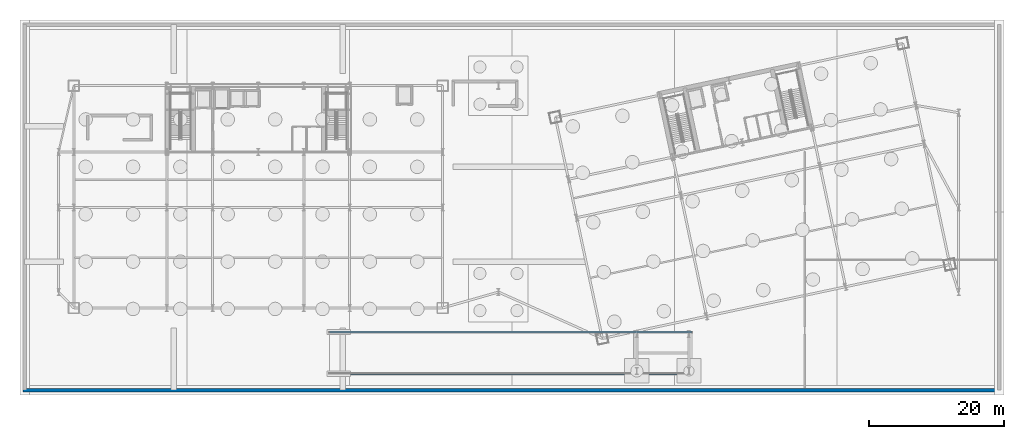
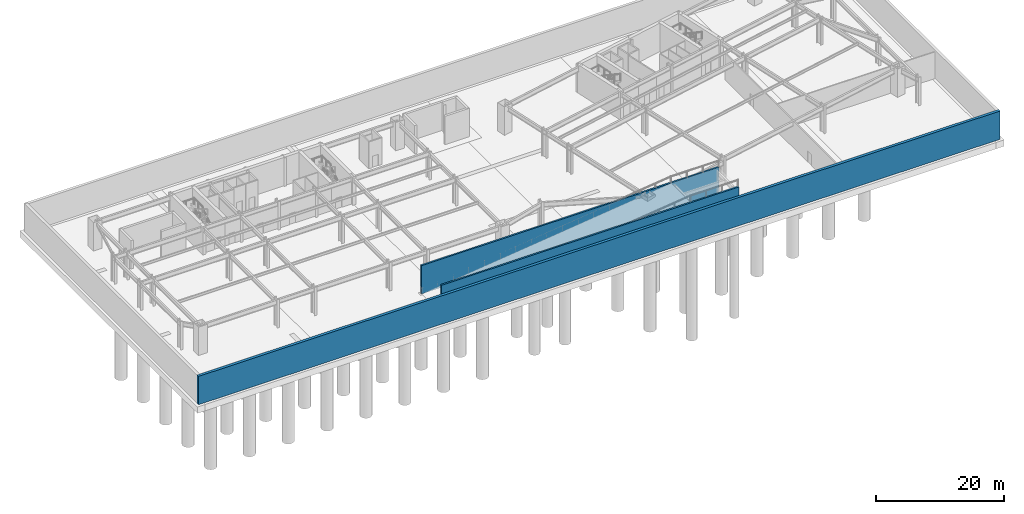
# One storey, part 7 of 15: 3 walls.
"""IFC4 building model written with IfcOpenShell, lengths in metres."""

from ifc_helpers import new_model, si_unit, direction, frame, frame_2d, origin, place, context, subcontext, project, spatial, rectangle, extrude, material, layer, layer_set, type_object, element, save


model = new_model("IFC4")

# Units and contexts
model_context = context("Model", 3, precision=1e-05, world=origin(), true_north=direction((0.0, 1.0)))
body_context = subcontext(model_context, "Body", "Model", "MODEL_VIEW")
ifc_project = project(units=[si_unit("LENGTHUNIT", "METRE"), si_unit("AREAUNIT", "SQUARE_METRE"), si_unit("VOLUMEUNIT", "CUBIC_METRE"), si_unit("PLANEANGLEUNIT", "RADIAN"), si_unit("MASSUNIT", "GRAM", prefix="KILO")], contexts=[model_context])

# Site, building, storey
site_placement = place(None, origin())
site = spatial("IfcSite", under=ifc_project, at=site_placement, CompositionType="ELEMENT")
building_placement = place(site_placement, origin())
building = spatial("IfcBuilding", under=site, at=building_placement, Name="Haevon Station Towers", CompositionType="ELEMENT")
storey_placement = place(building_placement, frame((0.0, 0.0, -10.800048828125)))
storey = spatial("IfcBuildingStorey", under=building, at=storey_placement, Name="B02", CompositionType="ELEMENT", Elevation=-10.800048828125)

# Walls
ifc_material = material(Name="Concrete C50/60", Category="concrete")
ifc_layer = layer(ifc_material, 0.5)
ifc_layer_set = layer_set([ifc_layer], Name="Concrete C50/60")
wall_type = type_object("IfcWallType", Name="WL-RET500", PredefinedType="SOLIDWALL", material=ifc_layer_set)
wall_placement = place(storey_placement, frame((2.75, 3.0, 0.0), z_axis=(0.0, 0.0, 1.0), x_axis=(1.0, 0.0, 0.0)))
element("IfcWall", 1, at=wall_placement, inside=storey, type_object=wall_type, Name="WL-RET-B02-S", PredefinedType="SOLIDWALL", context=body_context, shape_type="SweptSolid", body=[
    extrude(rectangle(XDim=144.5, YDim=0.5, at=frame_2d((72.25, 0.0))), origin(), (0.0, 0.0, 1.0), 5.400146484375),
])
for number, where, z_axis, x_axis, name in (
    (2, (48.0, 11.60009765625, 0.0), (0.0, 0.0, 1.0), (1.0, 0.0, 0.0), "B02 Vehicle Ramp R1 Structural Support Wall"),
    (3, (48.0, 5.39990234375, 0.0), (0.0, 0.0, 1.0), (1.0, 0.0, 0.0), "B02 Vehicle Ramp R1 Structural Support Wall"),
):
    element("IfcWall", number, at=place(storey_placement, frame(where, z_axis=z_axis, x_axis=x_axis)), inside=storey, type_object=wall_type, Name=name, PredefinedType="SOLIDWALL", context=body_context, shape_type="SweptSolid", body=[
        extrude(rectangle(XDim=53.60009765625, YDim=0.300048828125, at=frame_2d((26.800048828125, 0.0))), origin(), (0.0, 0.0, 1.0), 5.400146484375),
    ])

save(model, "model.ifc")
